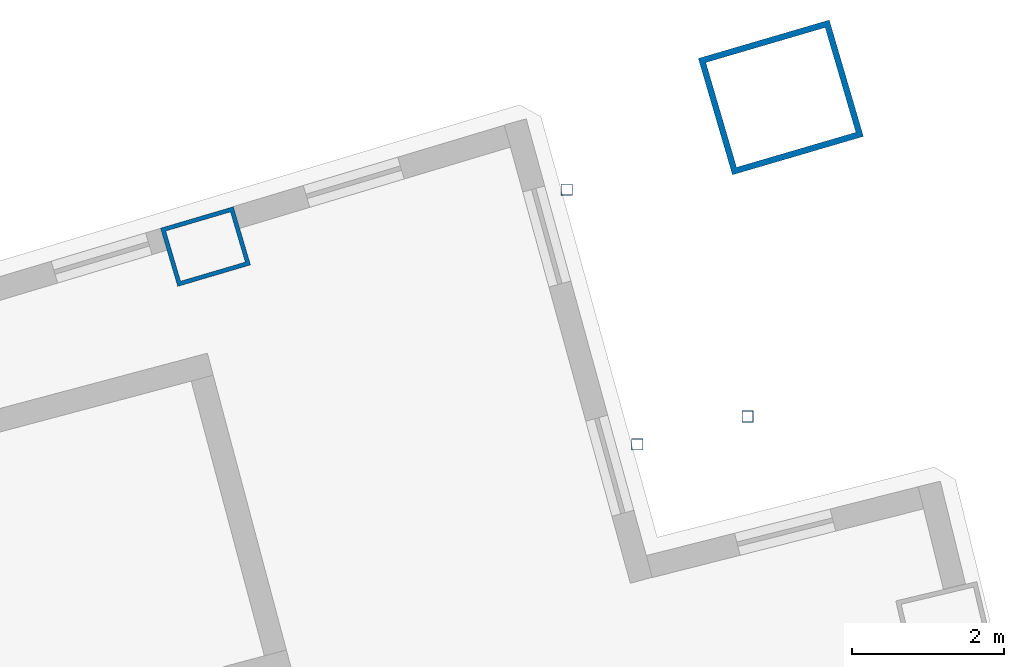
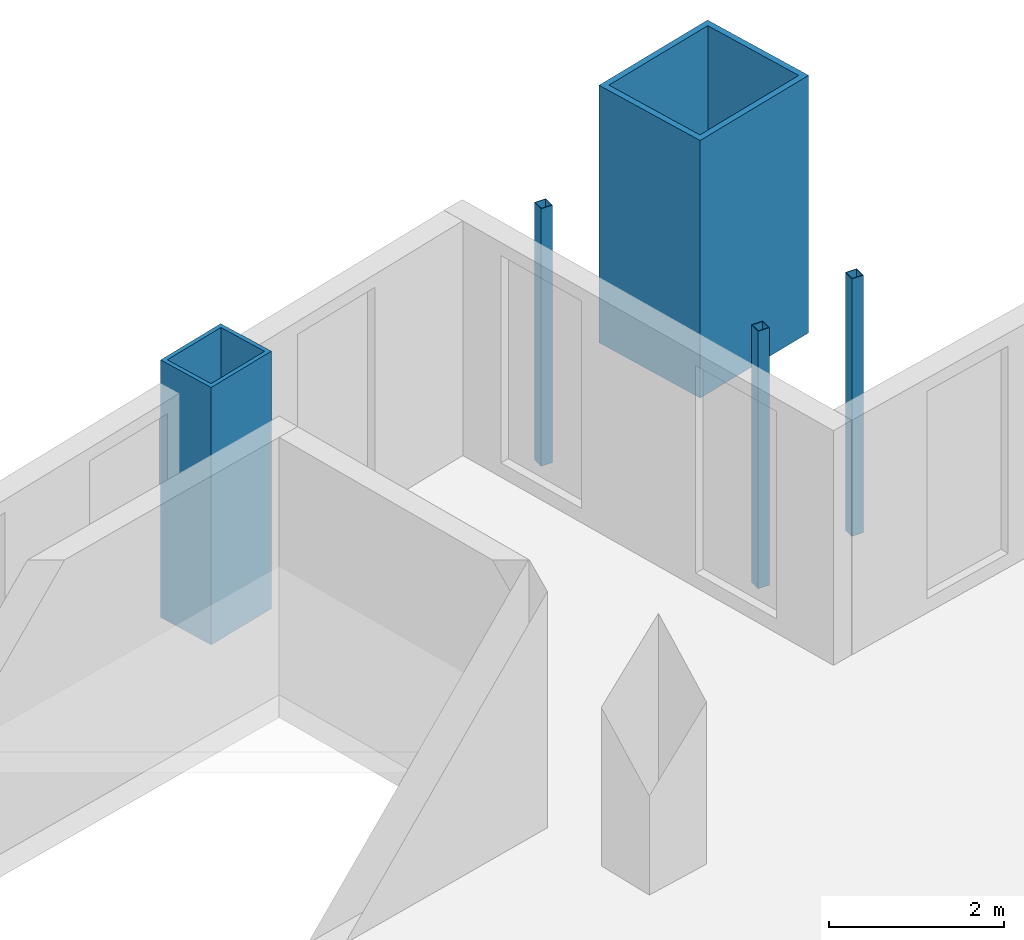
# One storey, part 9 of 20: 5 columns.
"""IFC4 building model written with IfcOpenShell, lengths in metres."""

from ifc_helpers import new_model, si_unit, direction, frame, origin, origin_2d, place, context, subcontext, project, spatial, hollow_rectangle, extrude, material, material_profile, profile_set, type_object, element, save


model = new_model("IFC4")

# Units and contexts
model_context = context("Model", 3, precision=1e-05, world=origin(), true_north=direction((0.0, 1.0)))
body_context = subcontext(model_context, "Body", "Model", "MODEL_VIEW")
ifc_project = project(units=[si_unit("LENGTHUNIT", "METRE"), si_unit("AREAUNIT", "SQUARE_METRE"), si_unit("VOLUMEUNIT", "CUBIC_METRE"), si_unit("PLANEANGLEUNIT", "RADIAN"), si_unit("MASSUNIT", "GRAM", prefix="KILO")], contexts=[model_context])

# Site, building, storey
site_placement = place(None, origin())
site = spatial("IfcSite", under=ifc_project, at=site_placement, CompositionType="ELEMENT")
building_placement = place(site_placement, origin())
building = spatial("IfcBuilding", under=site, at=building_placement, Name="Alderwake Tower", CompositionType="ELEMENT")
storey_placement = place(building_placement, frame((0.0, 0.0, 142.39990234375)))
storey = spatial("IfcBuildingStorey", under=building, at=storey_placement, Name="L34", CompositionType="ELEMENT", Elevation=142.39990234375)

# Columns
ifc_material_1 = material(Name="Steel ASTM A572 Grade 50 concrete filled C70/85", Category="concrete")
ifc_material_profile_1 = material_profile(ifc_material_1, hollow_rectangle(XDim=0.800048828125, YDim=1.0, WallThickness=0.054931640625, at=origin_2d()), Name="BOX 1000X800X55")
ifc_profile_set_1 = profile_set([ifc_material_profile_1], Name="Steel ASTM A572 Grade 50 concrete filled C70/85")
column_type_1 = type_object("IfcColumnType", Name="End column Z3", PredefinedType="COLUMN", material=ifc_profile_set_1)
column_1_placement = place(storey_placement, frame((46.66015625, 98.400634765625, 0.0), z_axis=(0.0, 0.0, 1.0), x_axis=(-0.283195247437, 0.959062277346, 0.0)))
element("IfcColumn", 1, at=column_1_placement, inside=storey, type_object=column_type_1, Name="Column R12-C4", PredefinedType="COLUMN", context=body_context, shape_type="SweptSolid", body=[
    extrude(hollow_rectangle(XDim=0.800048828125, YDim=1.0, WallThickness=0.054931640625, at=origin_2d()), origin(), (0.0, 0.0, 1.0), 3.60009765625),
])
ifc_material_2 = material(Name="Steel ASTM A500 Grade C", Category="steel")
ifc_material_profile_2 = material_profile(ifc_material_2, hollow_rectangle(XDim=0.15234375, YDim=0.15234375, WallThickness=0.0087890625, at=origin_2d()), Name="HSS6X6X3/8")
ifc_profile_set_2 = profile_set([ifc_material_profile_2], Name="Steel ASTM A500 Grade C")
column_type_2 = type_object("IfcColumnType", Name="Light post HSS6X6X3/8", PredefinedType="COLUMN", material=ifc_profile_set_2)
for number, where, z_axis, x_axis, name in (
    (2, (53.807861328125, 96.159423828125, 0.0), (0.0, 0.0, 1.0), (1.0, 0.0, 0.0), "Terrace post FN1"),
    (3, (51.42431640625, 99.152099609375, 0.0), (0.0, 0.0, 1.0), (1.0, 0.0, 0.0), "Terrace post FN2"),
    (4, (52.353759765625, 95.791259765625, 0.0), (0.0, 0.0, 1.0), (1.0, 0.0, 0.0), "Terrace post FN3"),
):
    element("IfcColumn", number, at=place(storey_placement, frame(where, z_axis=z_axis, x_axis=x_axis)), inside=storey, type_object=column_type_2, Name=name, PredefinedType="COLUMN", context=body_context, shape_type="SweptSolid", body=[
        extrude(hollow_rectangle(XDim=0.15234375, YDim=0.15234375, WallThickness=0.0087890625, at=origin_2d()), origin(), (0.0, 0.0, 1.0), 3.60009765625),
    ])
ifc_material_3 = material(Name="Steel ASTM A572 Grade 50 concrete filled C70/85", Category="concrete")
ifc_material_profile_3 = material_profile(ifc_material_3, hollow_rectangle(XDim=1.60009765625, YDim=1.800048828125, WallThickness=0.080078125, at=origin_2d()), Name="BOX 1800X1600X80")
ifc_profile_set_3 = profile_set([ifc_material_profile_3], Name="Steel ASTM A572 Grade 50 concrete filled C70/85")
column_type_3 = type_object("IfcColumnType", Name="Mega column Z3", PredefinedType="COLUMN", material=ifc_profile_set_3)
column_2_placement = place(storey_placement, frame((54.246826171875, 100.3671875, 0.0), z_axis=(0.0, 0.0, 1.0), x_axis=(-0.281395329631, 0.959591928093, 0.0)))
element("IfcColumn", 5, at=column_2_placement, inside=storey, type_object=column_type_3, Name="Column R12-C5", PredefinedType="COLUMN", context=body_context, shape_type="SweptSolid", body=[
    extrude(hollow_rectangle(XDim=1.60009765625, YDim=1.800048828125, WallThickness=0.080078125, at=origin_2d()), origin(), (0.0, 0.0, 1.0), 3.60009765625),
])

save(model, "model.ifc")
